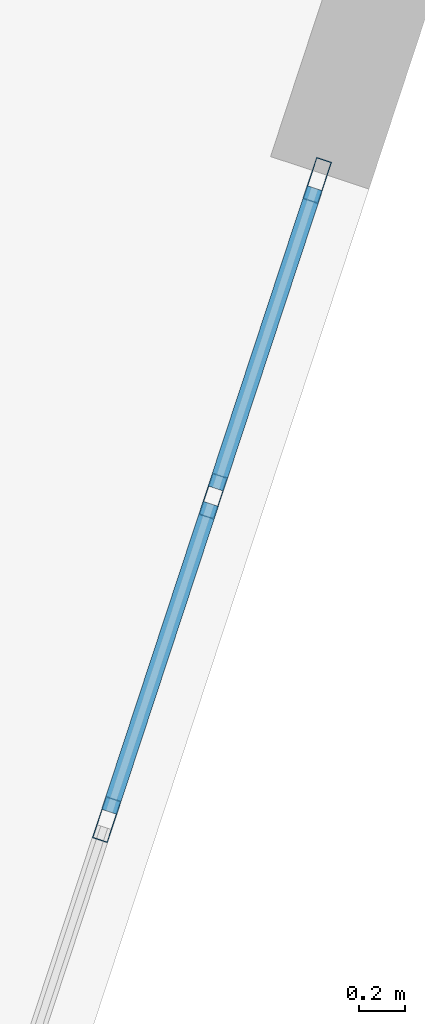
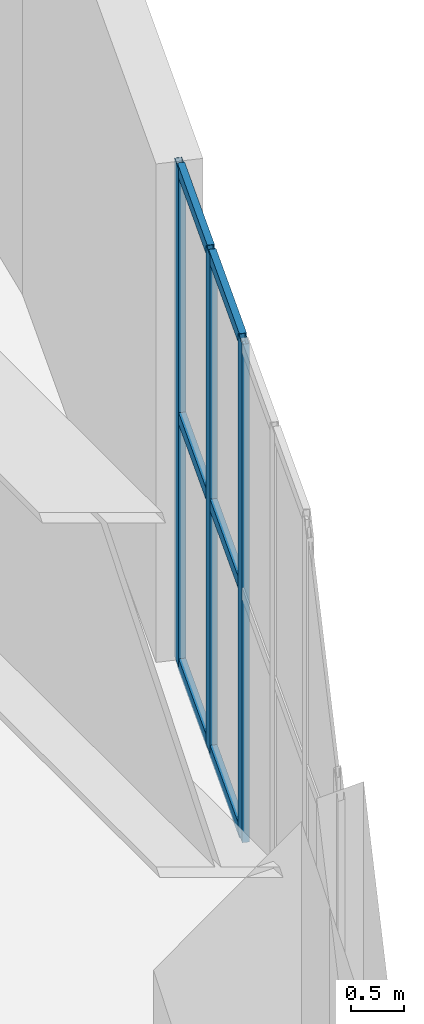
# One storey, part 4 of 14: 9 members, 1 element without a shape of its own.
"""IFC4 building model written with IfcOpenShell, lengths in metres."""

import ifcopenshell
import ifcopenshell.guid

model = None  # the IFC model being written
_history = None  # IfcOwnerHistory: only IFC2X3 demands one
_inside = {}  # id of a spatial element -> (the spatial element, [elements in it])
_under = {}  # id of a project, library or spatial element -> (it, [spatial elements below it])
_declared = {}  # id of a project -> (the project, [libraries it declares])
_typed = {}  # id of a type object -> (the type object, [elements of that type])
_made_of = {}  # id of a material, layer set ... -> (it, [elements and type objects made of it])


def new_model(schema):
    """Start an empty IFC model of exactly this schema.

    Asked for "IFC4X3", IfcOpenShell would pick the latest addendum, in which some entities
    have other attributes; the version numbers below select the first issue.
    IFC2X3 requires an IfcOwnerHistory on every rooted entity: one is made here for all.
    """
    global model, _history
    if schema == "IFC4X3":
        model = ifcopenshell.file(schema_version=(4, 3, 0, 0))
    else:
        model = ifcopenshell.file(schema=schema)
    _inside.clear()
    _under.clear()
    _declared.clear()
    _typed.clear()
    _made_of.clear()
    _history = None
    if model.schema == "IFC2X3":
        org = make("IfcOrganization", Name="unknown")
        user = make(
            "IfcPersonAndOrganization",
            ThePerson=make("IfcPerson", FamilyName="unknown"),
            TheOrganization=org,
        )
        app = make(
            "IfcApplication",
            ApplicationDeveloper=org,
            Version="unknown",
            ApplicationFullName="unknown",
            ApplicationIdentifier="unknown",
        )
        _history = make(
            "IfcOwnerHistory",
            OwningUser=user,
            OwningApplication=app,
            ChangeAction="ADDED",
            CreationDate=0,
        )
    return model


def make(cls, **values):
    """One entity of the class cls with the attributes given. An attribute that is None is left unset."""
    return model.create_entity(
        cls, **{name: value for name, value in values.items() if value is not None}
    )


def rooted(cls, **values):
    """An entity with a GlobalId (a new one), such as an element, a storey or a relation."""
    return make(cls, GlobalId=ifcopenshell.guid.new(), OwnerHistory=_history, **values)


def si_unit(unit_type, name, prefix=None):
    """IfcSIUnit, for example si_unit("LENGTHUNIT", "METRE", prefix="MILLI")."""
    return make("IfcSIUnit", UnitType=unit_type, Prefix=prefix, Name=name)


def assignment(units):
    """IfcUnitAssignment: the units of a project."""
    return None if units is None else make("IfcUnitAssignment", Units=units)


def point(xyz):
    """IfcCartesianPoint."""
    return None if xyz is None else make("IfcCartesianPoint", Coordinates=xyz)


def direction(xyz):
    """IfcDirection."""
    return None if xyz is None else make("IfcDirection", DirectionRatios=xyz)


def frame(location, z_axis=None, x_axis=None):
    """IfcAxis2Placement3D, a coordinate frame: its origin and axes. An axis left out is left unset."""
    return make(
        "IfcAxis2Placement3D",
        Location=point(location),
        Axis=direction(z_axis),
        RefDirection=direction(x_axis),
    )


def frame_2d(location, x_axis=None):
    """IfcAxis2Placement2D, a coordinate frame in the plane: its origin and x axis."""
    return make(
        "IfcAxis2Placement2D", Location=point(location), RefDirection=direction(x_axis)
    )


def origin():
    """The frame at (0, 0, 0) with its axes left unset."""
    return frame((0.0, 0.0, 0.0))


def origin_2d():
    """The frame at (0, 0) in the plane with its x axis left unset."""
    return frame_2d((0.0, 0.0))


def place(relative_to, where):
    """IfcLocalPlacement: puts the frame where relative to a parent placement (None: the world)."""
    return make(
        "IfcLocalPlacement", PlacementRelTo=relative_to, RelativePlacement=where
    )


def context(
    kind, dimensions, precision=None, world=None, true_north=None, identifier=None
):
    """IfcGeometricRepresentationContext, for example the 3D "Model" context."""
    return make(
        "IfcGeometricRepresentationContext",
        ContextIdentifier=identifier,
        ContextType=kind,
        CoordinateSpaceDimension=dimensions,
        Precision=precision,
        WorldCoordinateSystem=world,
        TrueNorth=true_north,
    )


def subcontext(parent, identifier, kind, view, scale=None):
    """IfcGeometricRepresentationSubContext, for example "Body" below "Model"."""
    return make(
        "IfcGeometricRepresentationSubContext",
        ContextIdentifier=identifier,
        ContextType=kind,
        ParentContext=parent,
        TargetScale=scale,
        TargetView=view,
    )


def project(units=None, contexts=None):
    """IfcProject with its units and contexts."""
    return rooted(
        "IfcProject",
        Name="project",
        RepresentationContexts=contexts,
        UnitsInContext=assignment(units),
    )


def spatial(cls, under=None, at=None, **own):
    """A site, building, storey or space (cls), placed at a placement, below another one or the project."""
    s = rooted(cls, ObjectPlacement=at, **own)
    if under is not None:
        _under.setdefault(under.id(), (under, []))[1].append(s)
    return s


def profile(cls, at=None, kind="AREA", **sizes):
    """A parametric profile (cls). Its sizes go by their IFC names, for example OverallWidth=200.0."""
    return make(cls, ProfileType=kind, Position=at, **sizes)


def hollow_rectangle(**sizes):
    """IfcRectangleHollowProfileDef."""
    return profile("IfcRectangleHollowProfileDef", **sizes)


def extrude(swept, where, along, depth):
    """IfcExtrudedAreaSolid: the profile swept, set in the frame where, extruded along a direction by depth."""
    return make(
        "IfcExtrudedAreaSolid",
        SweptArea=swept,
        Position=where,
        ExtrudedDirection=direction(along),
        Depth=depth,
    )


def shape(context_of_items, identifier, shape_type, items):
    """IfcShapeRepresentation: the items that make up one representation, for example the "Body"."""
    return make(
        "IfcShapeRepresentation",
        ContextOfItems=context_of_items,
        RepresentationIdentifier=identifier,
        RepresentationType=shape_type,
        Items=items,
    )


def material(Name=None, Category=None):
    """IfcMaterial."""
    return make("IfcMaterial", Name=Name, Category=Category)


def layer(
    of_material, thickness, ventilated=None, Name=None, Category=None, Priority=None
):
    """IfcMaterialLayer: one layer of a wall or slab, of a material (None: an air gap)."""
    return make(
        "IfcMaterialLayer",
        Material=of_material,
        LayerThickness=thickness,
        IsVentilated=ventilated,
        Name=Name,
        Category=Category,
        Priority=Priority,
    )


def layer_set(layers, Name=None):
    """IfcMaterialLayerSet."""
    return make("IfcMaterialLayerSet", MaterialLayers=layers, LayerSetName=Name)


def material_profile(
    of_material, cross_section, Name=None, Category=None, Priority=None
):
    """IfcMaterialProfile: a cross section and its material."""
    return make(
        "IfcMaterialProfile",
        Name=Name,
        Material=of_material,
        Profile=cross_section,
        Priority=Priority,
        Category=Category,
    )


def profile_set(profiles, Name=None, composite=None):
    """IfcMaterialProfileSet."""
    return make(
        "IfcMaterialProfileSet",
        Name=Name,
        MaterialProfiles=profiles,
        CompositeProfile=composite,
    )


def made_of(thing, what):
    """Note that an element or type object is made of a material, layer set ...; save() writes the relation."""
    if what is not None:
        _made_of.setdefault(what.id(), (what, []))[1].append(thing)
    return thing


def type_object(cls, material=None, **own):
    """A type object (cls), such as IfcWallType, which elements share."""
    return made_of(rooted(cls, **own), material)


def element(
    cls,
    number,
    at=None,
    inside=None,
    cuts=None,
    type_object=None,
    material=None,
    context=None,
    identifier="Body",
    shape_type=None,
    held_by="IfcProductDefinitionShape",
    body=None,
    shapes=None,
    **own,
):
    """One element of the class cls, such as IfcWall. Its Tag is "e" and its number.

    at: its placement. inside: the storey or other place that contains it. cuts: it is an
    opening in that element (IfcRelVoidsElement). A single representation is given by context,
    identifier, shape_type and body (its items); several are given by shapes. held_by: the class
    of the entity that holds the representations. save() writes the other relations.
    """
    e = rooted(cls, Tag="e%d" % number, ObjectPlacement=at, **own)
    if body is not None:
        shapes = [shape(context, identifier, shape_type, body)]
    if shapes is not None:
        e.Representation = make(held_by, Representations=shapes)
    if inside is not None:
        _inside.setdefault(inside.id(), (inside, []))[1].append(e)
    if cuts is not None:
        rooted(
            "IfcRelVoidsElement", RelatingBuildingElement=cuts, RelatedOpeningElement=e
        )
    if type_object is not None:
        _typed.setdefault(type_object.id(), (type_object, []))[1].append(e)
    return made_of(e, material)


def aggregate(whole, parts):
    """IfcRelAggregates: a whole, such as a stair, and the parts it consists of."""
    return rooted("IfcRelAggregates", RelatingObject=whole, RelatedObjects=parts)


def save(model, path):
    """Write the relations noted so far, then the file.

    IfcRelAggregates (storeys below a building ...), IfcRelContainedInSpatialStructure (elements
    in a storey), IfcRelDefinesByType, IfcRelAssociatesMaterial and IfcRelDeclares: one each for
    every whole, place, type object, material and project.
    """
    for whole, parts in _under.values():
        aggregate(whole, parts)
    for where, things in _inside.values():
        rooted(
            "IfcRelContainedInSpatialStructure",
            RelatedElements=things,
            RelatingStructure=where,
        )
    for kind, things in _typed.values():
        rooted("IfcRelDefinesByType", RelatedObjects=things, RelatingType=kind)
    for what, things in _made_of.values():
        rooted("IfcRelAssociatesMaterial", RelatedObjects=things, RelatingMaterial=what)
    for by, libraries in _declared.values():
        rooted("IfcRelDeclares", RelatingContext=by, RelatedDefinitions=libraries)
    model.write(path)


model = new_model("IFC4")

# Units and contexts
model_context = context("Model", 3, precision=1e-05, world=origin(), true_north=direction((0.0, 1.0)))
body_context = subcontext(model_context, "Body", "Model", "MODEL_VIEW")
ifc_project = project(units=[si_unit("LENGTHUNIT", "METRE"), si_unit("AREAUNIT", "SQUARE_METRE"), si_unit("VOLUMEUNIT", "CUBIC_METRE"), si_unit("PLANEANGLEUNIT", "RADIAN"), si_unit("MASSUNIT", "GRAM", prefix="KILO")], contexts=[model_context])

# Site, building, storey
site_placement = place(None, origin())
site = spatial("IfcSite", under=ifc_project, at=site_placement, CompositionType="ELEMENT")
building_placement = place(site_placement, origin())
building = spatial("IfcBuilding", under=site, at=building_placement, Name="Kilnhurst Terrace Hotel", CompositionType="ELEMENT")
storey_placement = place(building_placement, frame((0.0, 0.0, 28.199951171875)))
storey = spatial("IfcBuildingStorey", under=building, at=storey_placement, Name="L05", CompositionType="ELEMENT", Elevation=28.199951171875)

# Curtain wall, members
ifc_material_1 = material(Name="Anodized Aluminium Alloy 6063-T6 and Low-E Glass", Category="aluminium")
ifc_layer = layer(ifc_material_1, 0.219970703125, Name="Anodized Aluminium Alloy 6063-T6 and Low-E Glass")
ifc_layer_set = layer_set([ifc_layer], Name="Anodized Aluminium Alloy 6063-T6 and Low-E Glass")
curtain_wall_type = type_object("IfcCurtainWallType", Name="CW-POD-TERR", PredefinedType="NOTDEFINED", material=ifc_layer_set)
curtain_wall_placement = place(storey_placement, origin())
curtain_wall = element("IfcCurtainWall", 1, at=curtain_wall_placement, inside=storey, type_object=curtain_wall_type, Name="L05 Curtain Wall CW-L05-F2-2", PredefinedType="NOTDEFINED")
ifc_material_2 = material(Name="Extruded Aluminium Alloy 6063-T6", Category="aluminium")
ifc_material_profile_1 = material_profile(ifc_material_2, hollow_rectangle(XDim=0.070068359375, YDim=0.18994140625, WallThickness=0.00390625, at=origin_2d()), Name="CWM70X190")
ifc_profile_set_1 = profile_set([ifc_material_profile_1], Name="Extruded Aluminium Alloy 6063-T6")
member_type_1 = type_object("IfcMemberType", Name="MEM-CWM70X190", PredefinedType="MULLION", material=ifc_profile_set_1)
member_1_placement = place(storey_placement, frame((24.085205078125, -8.528076171875, 0.0), z_axis=(0.0, 0.0, 1.0), x_axis=(-0.949756996422, 0.312988254967, 0.0)))
member_1 = element("IfcMember", 2, at=member_1_placement, type_object=member_type_1, Name="CWT-2 mullion 4", PredefinedType="MULLION", context=body_context, shape_type="SweptSolid", body=[
    extrude(hollow_rectangle(XDim=0.070068359375, YDim=0.18994140625, WallThickness=0.00390625, at=origin_2d()), origin(), (0.0, 0.0, 1.0), 5.699951171875),
])
member_2_placement = place(storey_placement, frame((24.54736328125, -7.125244140625, 0.0), z_axis=(0.0, 0.0, 1.0), x_axis=(-0.949756996422, 0.312988254967, 0.0)))
member_2 = element("IfcMember", 3, at=member_2_placement, type_object=member_type_1, Name="CWT-2 mullion 5", PredefinedType="MULLION", context=body_context, shape_type="SweptSolid", body=[
    extrude(hollow_rectangle(XDim=0.070068359375, YDim=0.18994140625, WallThickness=0.00390625, at=origin_2d()), origin(), (0.0, 0.0, 1.0), 5.699951171875),
])
member_3_placement = place(storey_placement, frame((24.998779296875, -5.755615234375, 0.0), z_axis=(0.0, 0.0, 1.0), x_axis=(-0.949756996422, 0.312988254967, 0.0)))
member_3 = element("IfcMember", 4, at=member_3_placement, type_object=member_type_1, Name="CWT-2 mullion 6", PredefinedType="MULLION", context=body_context, shape_type="SweptSolid", body=[
    extrude(hollow_rectangle(XDim=0.070068359375, YDim=0.18994140625, WallThickness=0.00390625, at=origin_2d()), origin(), (0.0, 0.0, 1.0), 5.699951171875),
])
ifc_material_profile_2 = material_profile(ifc_material_2, hollow_rectangle(XDim=0.070068359375, YDim=0.135009765625, WallThickness=0.00390625, at=origin_2d()), Name="CWT70X135")
ifc_profile_set_2 = profile_set([ifc_material_profile_2], Name="Extruded Aluminium Alloy 6063-T6")
member_type_2 = type_object("IfcMemberType", Name="MEM-CWT70X135", PredefinedType="USERDEFINED", material=ifc_profile_set_2)
member_4_placement = place(storey_placement, frame((24.09619140625, -8.49462890625, 0.03515625), z_axis=(0.312893834637, 0.949788107025, 0.0), x_axis=(-0.949788107025, 0.312893834637, 0.0)))
member_4 = element("IfcMember", 5, at=member_4_placement, type_object=member_type_2, Name="CWT-2 transom 4.1", ObjectType="TRANSOM", PredefinedType="USERDEFINED", context=body_context, shape_type="SweptSolid", body=[
    extrude(hollow_rectangle(XDim=0.070068359375, YDim=0.135009765625, WallThickness=0.00390625, at=origin_2d()), origin(), (0.0, 0.0, 1.0), 1.40673828125),
])
member_5_placement = place(storey_placement, frame((24.09619140625, -8.49462890625, 2.85009765625), z_axis=(0.312893834637, 0.949788107025, 0.0), x_axis=(-0.949788107025, 0.312893834637, 0.0)))
member_5 = element("IfcMember", 6, at=member_5_placement, type_object=member_type_2, Name="CWT-2 transom 4.2", ObjectType="TRANSOM", PredefinedType="USERDEFINED", context=body_context, shape_type="SweptSolid", body=[
    extrude(hollow_rectangle(XDim=0.070068359375, YDim=0.135009765625, WallThickness=0.00390625, at=origin_2d()), origin(), (0.0, 0.0, 1.0), 1.40673828125),
])
member_6_placement = place(storey_placement, frame((24.09619140625, -8.49462890625, 5.6650390625), z_axis=(0.312893834637, 0.949788107025, 0.0), x_axis=(-0.949788107025, 0.312893834637, 0.0)))
member_6 = element("IfcMember", 7, at=member_6_placement, type_object=member_type_2, Name="CWT-2 transom 4.3", ObjectType="TRANSOM", PredefinedType="USERDEFINED", context=body_context, shape_type="SweptSolid", body=[
    extrude(hollow_rectangle(XDim=0.070068359375, YDim=0.135009765625, WallThickness=0.00390625, at=origin_2d()), origin(), (0.0, 0.0, 1.0), 1.40673828125),
])
member_7_placement = place(storey_placement, frame((24.558349609375, -7.092041015625, 0.03515625), z_axis=(0.312969878031, 0.949763052264, 0.0), x_axis=(-0.949763052264, 0.312969878031, 0.0)))
member_7 = element("IfcMember", 8, at=member_7_placement, type_object=member_type_2, Name="CWT-2 transom 5.1", ObjectType="TRANSOM", PredefinedType="USERDEFINED", context=body_context, shape_type="SweptSolid", body=[
    extrude(hollow_rectangle(XDim=0.070068359375, YDim=0.135009765625, WallThickness=0.00390625, at=origin_2d()), origin(), (0.0, 0.0, 1.0), 1.3720703125),
])
member_8_placement = place(storey_placement, frame((24.558349609375, -7.092041015625, 2.85009765625), z_axis=(0.312969878031, 0.949763052264, 0.0), x_axis=(-0.949763052264, 0.312969878031, 0.0)))
member_8 = element("IfcMember", 9, at=member_8_placement, type_object=member_type_2, Name="CWT-2 transom 5.2", ObjectType="TRANSOM", PredefinedType="USERDEFINED", context=body_context, shape_type="SweptSolid", body=[
    extrude(hollow_rectangle(XDim=0.070068359375, YDim=0.135009765625, WallThickness=0.00390625, at=origin_2d()), origin(), (0.0, 0.0, 1.0), 1.3720703125),
])
member_9_placement = place(storey_placement, frame((24.558349609375, -7.092041015625, 5.6650390625), z_axis=(0.312969878031, 0.949763052264, 0.0), x_axis=(-0.949763052264, 0.312969878031, 0.0)))
member_9 = element("IfcMember", 10, at=member_9_placement, type_object=member_type_2, Name="CWT-2 transom 5.3", ObjectType="TRANSOM", PredefinedType="USERDEFINED", context=body_context, shape_type="SweptSolid", body=[
    extrude(hollow_rectangle(XDim=0.070068359375, YDim=0.135009765625, WallThickness=0.00390625, at=origin_2d()), origin(), (0.0, 0.0, 1.0), 1.3720703125),
])
aggregate(curtain_wall, [member_1, member_2, member_3, member_4, member_5, member_6, member_7, member_8, member_9])

save(model, "model.ifc")
